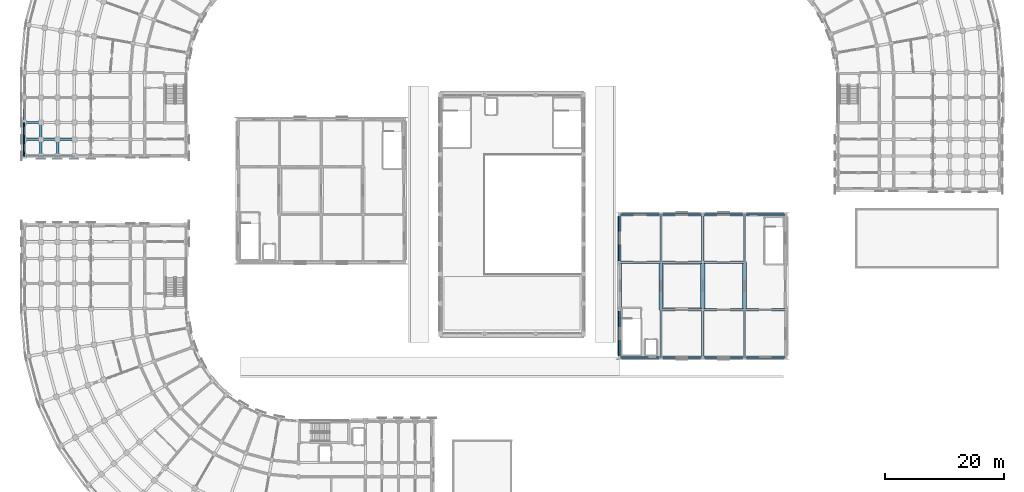
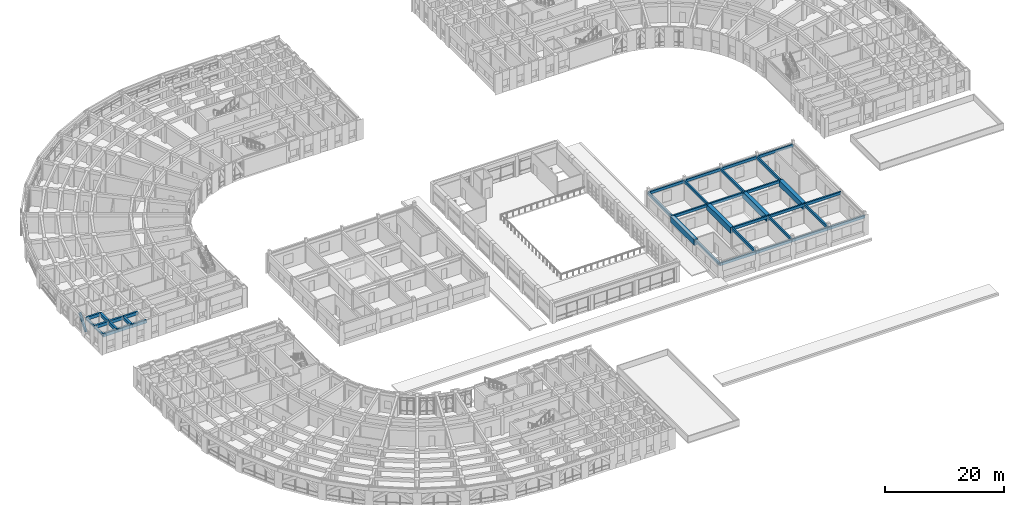
# One storey, part 17 of 97: 39 beams.
"""IFC4 building model written with IfcOpenShell, lengths in metres."""

from ifc_helpers import new_model, si_unit, direction, frame, origin, origin_2d, place, context, subcontext, project, spatial, rectangle, extrude, material, material_profile, profile_set, type_object, element, save


model = new_model("IFC4")

# Units and contexts
model_context = context("Model", 3, precision=1e-05, world=origin(), true_north=direction((0.0, 1.0)))
body_context = subcontext(model_context, "Body", "Model", "MODEL_VIEW")
ifc_project = project(units=[si_unit("LENGTHUNIT", "METRE"), si_unit("AREAUNIT", "SQUARE_METRE"), si_unit("VOLUMEUNIT", "CUBIC_METRE"), si_unit("PLANEANGLEUNIT", "RADIAN"), si_unit("MASSUNIT", "GRAM", prefix="KILO")], contexts=[model_context])

# Site, building, storey
site_placement = place(None, origin())
site = spatial("IfcSite", under=ifc_project, at=site_placement, CompositionType="ELEMENT")
building_placement = place(site_placement, origin())
building = spatial("IfcBuilding", under=site, at=building_placement, Name="Kiranvali Square Residences", CompositionType="ELEMENT")
storey_placement = place(building_placement, frame((0.0, 0.0, 4.5)))
storey = spatial("IfcBuildingStorey", under=building, at=storey_placement, Name="L01", CompositionType="ELEMENT", Elevation=4.5)

# Beams
ifc_material_1 = material(Name="Concrete M40 (40 MPa)", Category="concrete")
ifc_material_profile_1 = material_profile(ifc_material_1, rectangle(XDim=0.35009765625, YDim=0.5, at=origin_2d()), Name="RC 350x500")
ifc_profile_set_1 = profile_set([ifc_material_profile_1], Name="Concrete M40 (40 MPa)")
beam_type_1 = type_object("IfcBeamType", Name="AR-M40-350x500", PredefinedType="USERDEFINED", material=ifc_profile_set_1)
beam_1_placement = place(storey_placement, frame((2.199951171875, 81.5, 3.64990234375), z_axis=(0.0, -0.599545163906, -0.800340925129), x_axis=(1.0, 0.0, 0.0)))
element("IfcBeam", 1, at=beam_1_placement, inside=storey, type_object=beam_type_1, Name="Classical pointed Ottoman arch rib ARCH-A-A2-1.2", ObjectType="ARCH RIB", PredefinedType="USERDEFINED", context=body_context, shape_type="SweptSolid", body=[
    extrude(rectangle(XDim=0.35009765625, YDim=0.5, at=origin_2d()), origin(), (0.0, 0.0, 1.0), 3.43603515625),
])
ifc_material_profile_2 = material_profile(ifc_material_1, rectangle(XDim=0.300048828125, YDim=0.550048828125, at=origin_2d()), Name="RC 300x550")
ifc_profile_set_2 = profile_set([ifc_material_profile_2], Name="Concrete M40 (40 MPa)")
beam_type_2 = type_object("IfcBeamType", Name="BM-M40-300x550", PredefinedType="BEAM", material=ifc_profile_set_2)
for number, where, z_axis, x_axis, name in (
    (2, (102.0, 40.0, 3.72509765625), (1.0, 0.0, 0.0), (0.0, 1.0, 0.0), "L01 beam BM-RT-L01-X0-0"),
    (3, (109.0, 40.0, 3.72509765625), (1.0, 0.0, 0.0), (0.0, 1.0, 0.0), "L01 beam BM-RT-L01-X1-0"),
    (4, (116.0, 40.0, 3.72509765625), (1.0, 0.0, 0.0), (0.0, 1.0, 0.0), "L01 beam BM-RT-L01-X2-0"),
    (5, (123.0, 40.0, 3.72509765625), (1.0, 0.0, 0.0), (0.0, 1.0, 0.0), "L01 beam BM-RT-L01-X3-0"),
    (6, (109.0, 48.0, 3.72509765625), (1.0, 0.0, 0.0), (0.0, 1.0, 0.0), "L01 beam BM-RT-L01-X1-1"),
    (7, (116.0, 48.0, 3.72509765625), (1.0, 0.0, 0.0), (0.0, 1.0, 0.0), "L01 beam BM-RT-L01-X2-1"),
    (8, (123.0, 48.0, 3.72509765625), (1.0, 0.0, 0.0), (0.0, 1.0, 0.0), "L01 beam BM-RT-L01-X3-1"),
    (9, (102.0, 56.0, 3.72509765625), (1.0, 0.0, 0.0), (0.0, 1.0, 0.0), "L01 beam BM-RT-L01-X0-2"),
    (10, (109.0, 56.0, 3.72509765625), (1.0, 0.0, 0.0), (0.0, 1.0, 0.0), "L01 beam BM-RT-L01-X1-2"),
    (11, (116.0, 56.0, 3.72509765625), (1.0, 0.0, 0.0), (0.0, 1.0, 0.0), "L01 beam BM-RT-L01-X2-2"),
    (12, (102.0, 64.0, 3.72509765625), (1.0, 0.0, 0.0), (0.0, 1.0, 0.0), "L01 beam BM-RT-L01-X0-3"),
    (13, (109.0, 64.0, 3.72509765625), (1.0, 0.0, 0.0), (0.0, 1.0, 0.0), "L01 beam BM-RT-L01-X1-3"),
    (14, (116.0, 64.0, 3.72509765625), (1.0, 0.0, 0.0), (0.0, 1.0, 0.0), "L01 beam BM-RT-L01-X2-3"),
    (15, (123.0, 64.0, 3.72509765625), (1.0, 0.0, 0.0), (0.0, 1.0, 0.0), "L01 beam BM-RT-L01-X3-3"),
):
    element("IfcBeam", number, at=place(storey_placement, frame(where, z_axis=z_axis, x_axis=x_axis)), inside=storey, type_object=beam_type_2, Name=name, PredefinedType="BEAM", context=body_context, shape_type="SweptSolid", body=[
        extrude(rectangle(XDim=0.300048828125, YDim=0.550048828125, at=origin_2d()), origin(), (0.0, 0.0, 1.0), 7.0),
    ])
for number, where, z_axis, x_axis, name in (
    (16, (102.0, 40.0, 3.72509765625), (0.0, 1.0, 0.0), (-1.0, 0.0, 0.0), "L01 beam BM-RT-L01-Y0-0"),
    (17, (102.0, 56.0, 3.72509765625), (0.0, 1.0, 0.0), (-1.0, 0.0, 0.0), "L01 beam BM-RT-L01-Y0-2"),
    (18, (109.0, 40.0, 3.72509765625), (0.0, 1.0, 0.0), (-1.0, 0.0, 0.0), "L01 beam BM-RT-L01-Y1-0"),
    (19, (109.0, 56.0, 3.72509765625), (0.0, 1.0, 0.0), (-1.0, 0.0, 0.0), "L01 beam BM-RT-L01-Y1-2"),
    (20, (116.0, 40.0, 3.72509765625), (0.0, 1.0, 0.0), (-1.0, 0.0, 0.0), "L01 beam BM-RT-L01-Y2-0"),
    (21, (116.0, 56.0, 3.72509765625), (0.0, 1.0, 0.0), (-1.0, 0.0, 0.0), "L01 beam BM-RT-L01-Y2-2"),
    (22, (123.0, 40.0, 3.72509765625), (0.0, 1.0, 0.0), (-1.0, 0.0, 0.0), "L01 beam BM-RT-L01-Y3-0"),
    (23, (123.0, 56.0, 3.72509765625), (0.0, 1.0, 0.0), (-1.0, 0.0, 0.0), "L01 beam BM-RT-L01-Y3-2"),
):
    element("IfcBeam", number, at=place(storey_placement, frame(where, z_axis=z_axis, x_axis=x_axis)), inside=storey, type_object=beam_type_2, Name=name, PredefinedType="BEAM", context=body_context, shape_type="SweptSolid", body=[
        extrude(rectangle(XDim=0.300048828125, YDim=0.550048828125, at=origin_2d()), origin(), (0.0, 0.0, 1.0), 8.0),
    ])
ifc_material_profile_3 = material_profile(ifc_material_1, rectangle(XDim=0.35009765625, YDim=0.64990234375, at=origin_2d()), Name="RC 350x650")
ifc_profile_set_3 = profile_set([ifc_material_profile_3], Name="Concrete M40 (40 MPa)")
beam_type_3 = type_object("IfcBeamType", Name="BM-M40-350x650", PredefinedType="BEAM", material=ifc_profile_set_3)
for number, where, z_axis, x_axis, name in (
    (24, (5.0, 79.39990234375, 3.655029296875), (-1.0, 0.0, 0.0), (0.0, -1.0, 0.0), "L01 beam BM-A-L01-A2T1-67"),
    (25, (10.60009765625, 76.60009765625, 3.655029296875), (-1.0, 0.0, 0.0), (0.0, -1.0, 0.0), "L01 beam BM-A-L01-A2T2-45"),
    (26, (7.800048828125, 76.60009765625, 3.655029296875), (-1.0, 0.0, 0.0), (0.0, -1.0, 0.0), "L01 beam BM-A-L01-A2T2-56"),
    (27, (5.0, 76.60009765625, 3.655029296875), (-1.0, 0.0, 0.0), (0.0, -1.0, 0.0), "L01 beam BM-A-L01-A2T2-67"),
    (28, (10.60009765625, 73.800048828125, 3.655029296875), (-1.0, 0.0, 0.0), (0.0, -1.0, 0.0), "L01 beam BM-A-L01-A2T3-45"),
    (29, (7.800048828125, 73.800048828125, 3.655029296875), (-1.0, 0.0, 0.0), (0.0, -1.0, 0.0), "L01 beam BM-A-L01-A2T3-56"),
    (30, (5.0, 73.800048828125, 3.655029296875), (-1.0, 0.0, 0.0), (0.0, -1.0, 0.0), "L01 beam BM-A-L01-A2T3-67"),
):
    element("IfcBeam", number, at=place(storey_placement, frame(where, z_axis=z_axis, x_axis=x_axis)), inside=storey, type_object=beam_type_3, Name=name, PredefinedType="BEAM", context=body_context, shape_type="SweptSolid", body=[
        extrude(rectangle(XDim=0.35009765625, YDim=0.64990234375, at=origin_2d()), origin(), (0.0, 0.0, 1.0), 2.800048828125),
    ])
ifc_material_2 = material(Name="Concrete M45 (45 MPa)", Category="concrete")
ifc_material_profile_4 = material_profile(ifc_material_2, rectangle(XDim=0.39990234375, YDim=0.64990234375, at=origin_2d()), Name="RC 400x650")
ifc_profile_set_4 = profile_set([ifc_material_profile_4], Name="Concrete M45 (45 MPa)")
beam_type_4 = type_object("IfcBeamType", Name="BM-M45-400x650", PredefinedType="BEAM", material=ifc_profile_set_4)
beam_2_placement = place(storey_placement, frame((7.800048828125, 76.60009765625, 3.655029296875), z_axis=(0.0, -1.0, 0.0), x_axis=(1.0, 0.0, 0.0)))
element("IfcBeam", 31, at=beam_2_placement, inside=storey, type_object=beam_type_4, Name="L01 beam BM-A-L01-A2V3-R5", PredefinedType="BEAM", context=body_context, shape_type="SweptSolid", body=[
    extrude(rectangle(XDim=0.39990234375, YDim=0.64990234375, at=origin_2d()), origin(), (0.0, 0.0, 1.0), 2.800048828125),
])
beam_3_placement = place(storey_placement, frame((5.0, 79.39990234375, 3.655029296875), z_axis=(0.0, -1.0, 0.0), x_axis=(1.0, 0.0, 0.0)))
element("IfcBeam", 32, at=beam_3_placement, inside=storey, type_object=beam_type_4, Name="L01 beam BM-A-L01-A2V2-R6", PredefinedType="BEAM", context=body_context, shape_type="SweptSolid", body=[
    extrude(rectangle(XDim=0.39990234375, YDim=0.64990234375, at=origin_2d()), origin(), (0.0, 0.0, 1.0), 2.7998046875),
])
beam_4_placement = place(storey_placement, frame((5.0, 76.60009765625, 3.655029296875), z_axis=(0.0, -1.0, 0.0), x_axis=(1.0, 0.0, 0.0)))
element("IfcBeam", 33, at=beam_4_placement, inside=storey, type_object=beam_type_4, Name="L01 beam BM-A-L01-A2V3-R6", PredefinedType="BEAM", context=body_context, shape_type="SweptSolid", body=[
    extrude(rectangle(XDim=0.39990234375, YDim=0.64990234375, at=origin_2d()), origin(), (0.0, 0.0, 1.0), 2.800048828125),
])
ifc_material_profile_5 = material_profile(ifc_material_1, rectangle(XDim=0.25, YDim=0.449951171875, at=origin_2d()), Name="RC 250x450")
ifc_profile_set_5 = profile_set([ifc_material_profile_5], Name="Concrete M40 (40 MPa)")
beam_type_5 = type_object("IfcBeamType", Name="SPN-M40-250x450", PredefinedType="SPANDREL", material=ifc_profile_set_5)
beam_5_placement = place(storey_placement, frame((2.199951171875, 79.39990234375, 3.7548828125), z_axis=(0.0, -1.0, 0.0), x_axis=(1.0, 0.0, 0.0)))
element("IfcBeam", 34, at=beam_5_placement, inside=storey, type_object=beam_type_5, Name="L01 beam BM-A-L01-A2V2-R7", PredefinedType="SPANDREL", context=body_context, shape_type="SweptSolid", body=[
    extrude(rectangle(XDim=0.25, YDim=0.449951171875, at=origin_2d()), origin(), (0.0, 0.0, 1.0), 2.7998046875),
])
beam_6_placement = place(storey_placement, frame((2.199951171875, 76.60009765625, 3.7548828125), z_axis=(0.0, -1.0, 0.0), x_axis=(1.0, 0.0, 0.0)))
element("IfcBeam", 35, at=beam_6_placement, inside=storey, type_object=beam_type_5, Name="L01 beam BM-A-L01-A2V3-R7", PredefinedType="SPANDREL", context=body_context, shape_type="SweptSolid", body=[
    extrude(rectangle(XDim=0.25, YDim=0.449951171875, at=origin_2d()), origin(), (0.0, 0.0, 1.0), 2.800048828125),
])
ifc_material_3 = material(Name="Concrete M50 (50 MPa)", Category="concrete")
ifc_material_profile_6 = material_profile(ifc_material_3, rectangle(XDim=0.699951171875, YDim=1.199951171875, at=origin_2d()), Name="RC 700x1200")
ifc_profile_set_6 = profile_set([ifc_material_profile_6], Name="Concrete M50 (50 MPa)")
beam_type_6 = type_object("IfcBeamType", Name="TG-M50-700x1200", PredefinedType="USERDEFINED", material=ifc_profile_set_6)
for number, where, z_axis, x_axis, name in (
    (36, (102.0, 48.0, 3.39990234375), (0.0, 1.0, 0.0), (-1.0, 0.0, 0.0), "Southeast Square Retail Pavilion ridge king-post transfer girder 1"),
    (37, (109.0, 48.0, 3.39990234375), (0.0, 1.0, 0.0), (-1.0, 0.0, 0.0), "Southeast Square Retail Pavilion ridge king-post transfer girder 2"),
    (38, (116.0, 48.0, 3.39990234375), (0.0, 1.0, 0.0), (-1.0, 0.0, 0.0), "Southeast Square Retail Pavilion ridge king-post transfer girder 3"),
    (39, (123.0, 48.0, 3.39990234375), (0.0, 1.0, 0.0), (-1.0, 0.0, 0.0), "Southeast Square Retail Pavilion ridge king-post transfer girder 4"),
):
    element("IfcBeam", number, at=place(storey_placement, frame(where, z_axis=z_axis, x_axis=x_axis)), inside=storey, type_object=beam_type_6, Name=name, ObjectType="TRANSFER GIRDER", PredefinedType="USERDEFINED", context=body_context, shape_type="SweptSolid", body=[
        extrude(rectangle(XDim=0.699951171875, YDim=1.199951171875, at=origin_2d()), origin(), (0.0, 0.0, 1.0), 8.0),
    ])

save(model, "model.ifc")
